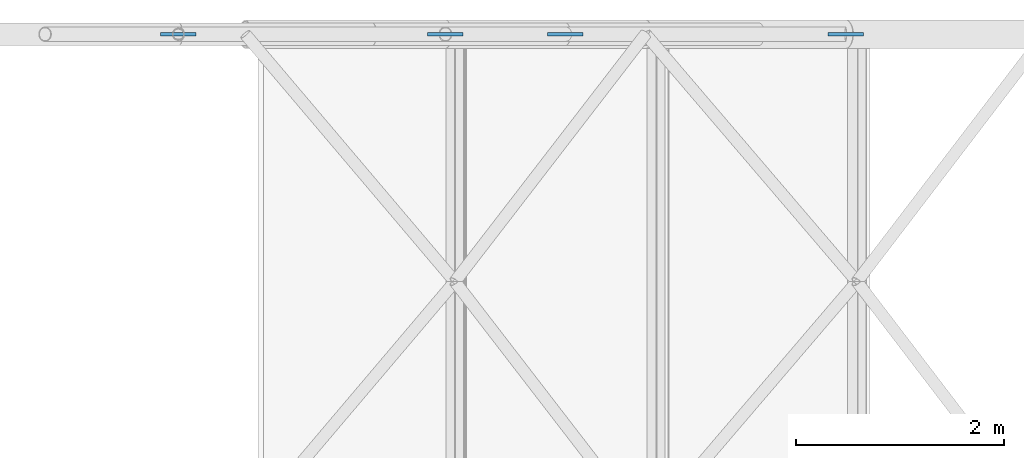
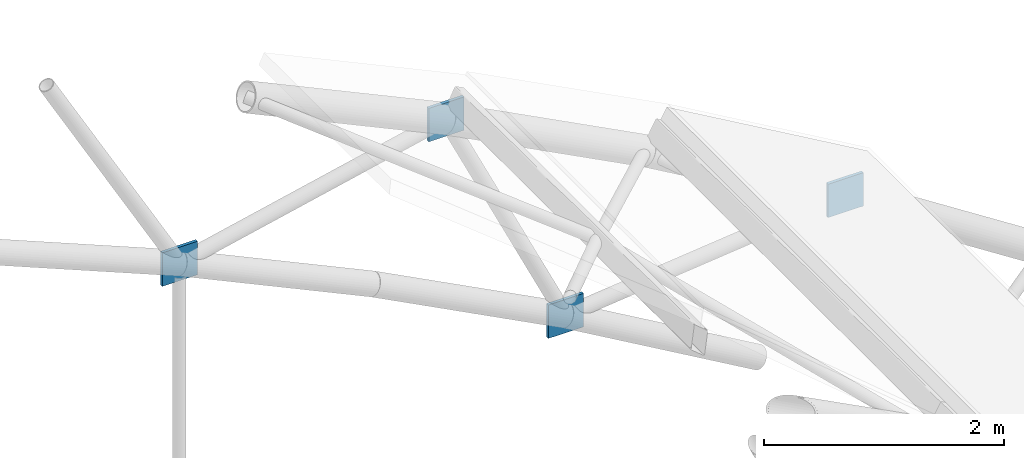
# One storey, part 41 of 50: 4 discrete accessories.
"""IFC4 building model written with IfcOpenShell, lengths in metres."""

from ifc_helpers import new_model, si_unit, direction, frame, origin, origin_2d, place, context, subcontext, project, spatial, rectangle, extrude, material, layer, layer_set, type_object, element, save


model = new_model("IFC4")

# Units and contexts
model_context = context("Model", 3, precision=1e-05, world=origin(), true_north=direction((0.0, 1.0)))
body_context = subcontext(model_context, "Body", "Model", "MODEL_VIEW")
ifc_project = project(units=[si_unit("LENGTHUNIT", "METRE"), si_unit("AREAUNIT", "SQUARE_METRE"), si_unit("VOLUMEUNIT", "CUBIC_METRE"), si_unit("PLANEANGLEUNIT", "RADIAN"), si_unit("MASSUNIT", "GRAM", prefix="KILO")], contexts=[model_context])

# Site, building, storey
site_placement = place(None, origin())
site = spatial("IfcSite", under=ifc_project, at=site_placement, CompositionType="ELEMENT")
building_placement = place(site_placement, origin())
building = spatial("IfcBuilding", under=site, at=building_placement, Name="Elbe Cascade School", CompositionType="ELEMENT")
storey_placement = place(building_placement, frame((0.0, 0.0, 15.300048828125)))
storey = spatial("IfcBuildingStorey", under=building, at=storey_placement, Name="L04", CompositionType="ELEMENT", Elevation=15.300048828125)

# Discrete accessories
ifc_material = material(Name="Steel S355J2", Category="steel")
ifc_layer = layer(ifc_material, 0.030029296875)
ifc_layer_set = layer_set([ifc_layer], Name="Steel S355J2")
discrete_accessory_type = type_object("IfcDiscreteAccessoryType", Name="Truss node connection", PredefinedType="BRACKET", material=ifc_layer_set)
for number, where, z_axis, x_axis, name in (
    (1, (52.5712890625, 69.5, 2.2294921875), (0.0, 0.0, 1.0), (1.0, 0.0, 0.0), "Truss node connection AC1"),
    (2, (56.28564453125, 69.5, 0.3984375), (0.0, 0.0, 1.0), (1.0, 0.0, 0.0), "Truss node connection AC1"),
    (3, (55.13525390625, 69.5, 2.80126953125), (0.0, 0.0, 1.0), (1.0, 0.0, 0.0), "Truss node connection AC1"),
    (4, (58.97802734375, 69.5, 0.68505859375), (0.0, 0.0, 1.0), (1.0, 0.0, 0.0), "Truss node connection AC1"),
):
    element("IfcDiscreteAccessory", number, at=place(storey_placement, frame(where, z_axis=z_axis, x_axis=x_axis)), inside=storey, type_object=discrete_accessory_type, Name=name, PredefinedType="BRACKET", context=body_context, shape_type="SweptSolid", body=[
        extrude(rectangle(XDim=0.340087890625, YDim=0.030029296875, at=origin_2d()), origin(), (0.0, 0.0, 1.0), 0.340087890625),
    ])

save(model, "model.ifc")
